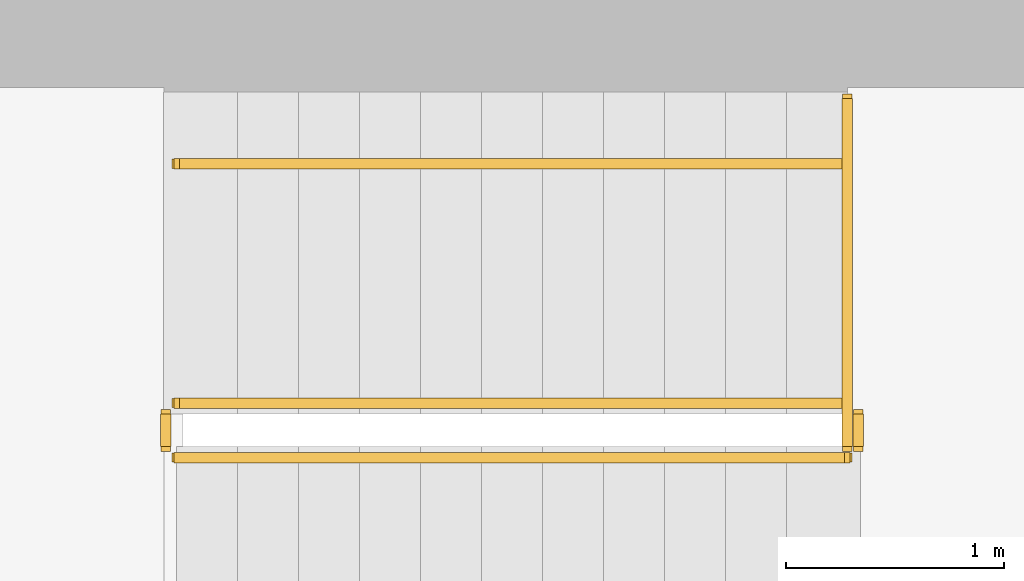
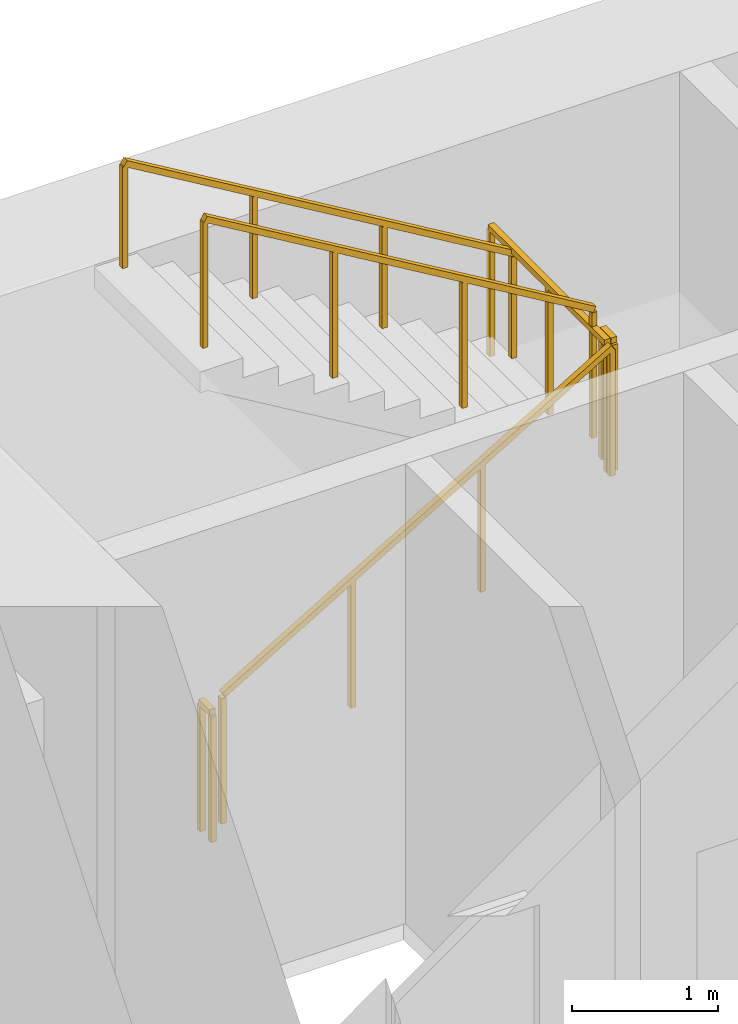
# One storey, part 15 of 16: 6 railings.
"""IFC4 building model written with IfcOpenShell, lengths in metres."""

from ifc_helpers import new_model, si_unit, direction, frame, origin, origin_2d, place, context, subcontext, project, spatial, rectangle, extrude, material, type_object, element, save


model = new_model("IFC4")

# Units and contexts
model_context = context("Model", 3, precision=1e-05, world=origin(), true_north=direction((0.0, 1.0)))
body_context = subcontext(model_context, "Body", "Model", "MODEL_VIEW")
ifc_project = project(units=[si_unit("LENGTHUNIT", "METRE"), si_unit("AREAUNIT", "SQUARE_METRE"), si_unit("VOLUMEUNIT", "CUBIC_METRE"), si_unit("PLANEANGLEUNIT", "RADIAN"), si_unit("MASSUNIT", "GRAM", prefix="KILO")], contexts=[model_context])

# Site, building, storey
site_placement = place(None, origin())
site = spatial("IfcSite", under=ifc_project, at=site_placement, CompositionType="ELEMENT")
building_placement = place(site_placement, origin())
building = spatial("IfcBuilding", under=site, at=building_placement, Name="Sennacour Bend Tower", CompositionType="ELEMENT")
storey_placement = place(building_placement, frame((0.0, 0.0, 223.0)))
storey = spatial("IfcBuildingStorey", under=building, at=storey_placement, Name="L51", CompositionType="ELEMENT", Elevation=223.0)

# Railings
ifc_material = material(Name="Stainless steel", Category="steel")
railing_type_1 = type_object("IfcRailingType", Name="RL-GUARD-1100", PredefinedType="GUARDRAIL", material=ifc_material)
railing_1_placement = place(storey_placement, frame((56.699951171875, 19.85009765625, 0.166748046875)))
element("IfcRailing", 1, at=railing_1_placement, inside=storey, type_object=railing_type_1, Name="L51 SA2 stair guard 1", PredefinedType="GUARDRAIL", context=body_context, shape_type="SweptSolid", body=[
    extrude(rectangle(XDim=0.048095703125, YDim=0.048095703125, at=origin_2d()), frame((0.0, 0.0, 1.076171875), z_axis=(0.859308565015, 0.0, 0.511457515432), x_axis=(0.0, 1.0, 0.0)), (0.0, 0.0, 1.0), 3.58447265625),
    extrude(rectangle(XDim=0.0419921875, YDim=0.0419921875, at=origin_2d()), origin(), (0.0, 0.0, 1.0), 1.052001953125),
    extrude(rectangle(XDim=0.0419921875, YDim=0.0419921875, at=origin_2d()), frame((1.026611328125, 0.0, 0.611083984375)), (0.0, 0.0, 1.0), 1.052001953125),
    extrude(rectangle(XDim=0.0419921875, YDim=0.0419921875, at=origin_2d()), frame((2.053466796875, 0.0, 1.22216796875)), (0.0, 0.0, 1.0), 1.052001953125),
    extrude(rectangle(XDim=0.0419921875, YDim=0.0419921875, at=origin_2d()), frame((3.080078125, 0.0, 1.833251953125)), (0.0, 0.0, 1.0), 1.052001953125),
])
railing_2_placement = place(storey_placement, frame((59.830078125, 19.89990234375, 2.0)))
element("IfcRailing", 2, at=railing_2_placement, inside=storey, type_object=railing_type_1, Name="L51 SA2 stair guard 2", PredefinedType="GUARDRAIL", context=body_context, shape_type="SweptSolid", body=[
    extrude(rectangle(XDim=0.048095703125, YDim=0.048095703125, at=origin_2d()), frame((0.0, 0.0, 1.076171875), z_axis=(0.0, 1.0, 0.0), x_axis=(-1.0, 0.0, 0.0)), (0.0, 0.0, 1.0), 0.150146484375),
    extrude(rectangle(XDim=0.0419921875, YDim=0.0419921875, at=origin_2d()), origin(), (0.0, 0.0, 1.0), 1.052001953125),
    extrude(rectangle(XDim=0.0419921875, YDim=0.0419921875, at=origin_2d()), frame((0.0, 0.150146484375, 0.0)), (0.0, 0.0, 1.0), 1.052001953125),
])
railing_3_placement = place(storey_placement, frame((59.780029296875, 20.10009765625, 2.166748046875)))
element("IfcRailing", 3, at=railing_3_placement, inside=storey, type_object=railing_type_1, Name="L51 SA2 stair guard 4", PredefinedType="GUARDRAIL", context=body_context, shape_type="SweptSolid", body=[
    extrude(rectangle(XDim=0.048095703125, YDim=0.048095703125, at=origin_2d()), frame((0.0, 0.0, 1.076171875), z_axis=(-0.859308565015, 0.0, 0.511457515432), x_axis=(0.0, -1.0, 0.0)), (0.0, 0.0, 1.0), 3.58447265625),
    extrude(rectangle(XDim=0.0419921875, YDim=0.0419921875, at=origin_2d()), origin(), (0.0, 0.0, 1.0), 1.052001953125),
    extrude(rectangle(XDim=0.0419921875, YDim=0.0419921875, at=origin_2d()), frame((-1.026611328125, 0.0, 0.611083984375)), (0.0, 0.0, 1.0), 1.052001953125),
    extrude(rectangle(XDim=0.0419921875, YDim=0.0419921875, at=origin_2d()), frame((-2.053466796875, 0.0, 1.22216796875)), (0.0, 0.0, 1.0), 1.052001953125),
    extrude(rectangle(XDim=0.0419921875, YDim=0.0419921875, at=origin_2d()), frame((-3.080078125, 0.0, 1.833251953125)), (0.0, 0.0, 1.0), 1.052001953125),
])
railing_4_placement = place(storey_placement, frame((56.64990234375, 19.89990234375, 0.0)))
element("IfcRailing", 4, at=railing_4_placement, inside=storey, type_object=railing_type_1, Name="L51 SA2 stair guard 5", PredefinedType="GUARDRAIL", context=body_context, shape_type="SweptSolid", body=[
    extrude(rectangle(XDim=0.048095703125, YDim=0.048095703125, at=origin_2d()), frame((0.0, 0.0, 1.076171875), z_axis=(0.0, 1.0, 0.0), x_axis=(-1.0, 0.0, 0.0)), (0.0, 0.0, 1.0), 0.150146484375),
    extrude(rectangle(XDim=0.0419921875, YDim=0.0419921875, at=origin_2d()), origin(), (0.0, 0.0, 1.0), 1.052001953125),
    extrude(rectangle(XDim=0.0419921875, YDim=0.0419921875, at=origin_2d()), frame((0.0, 0.150146484375, 0.0)), (0.0, 0.0, 1.0), 1.052001953125),
])
railing_5_placement = place(storey_placement, frame((59.780029296875, 19.89990234375, 2.0)))
element("IfcRailing", 5, at=railing_5_placement, inside=storey, type_object=railing_type_1, Name="L51 SA2 landing edge guard 68", PredefinedType="GUARDRAIL", context=body_context, shape_type="SweptSolid", body=[
    extrude(rectangle(XDim=0.048095703125, YDim=0.048095703125, at=origin_2d()), frame((0.0, 0.0, 1.076171875), z_axis=(0.0, 1.0, 0.0), x_axis=(-1.0, 0.0, 0.0)), (0.0, 0.0, 1.0), 1.60009765625),
    extrude(rectangle(XDim=0.0419921875, YDim=0.0419921875, at=origin_2d()), origin(), (0.0, 0.0, 1.0), 1.052001953125),
    extrude(rectangle(XDim=0.0419921875, YDim=0.0419921875, at=origin_2d()), frame((0.0, 0.800048828125, 0.0)), (0.0, 0.0, 1.0), 1.052001953125),
    extrude(rectangle(XDim=0.0419921875, YDim=0.0419921875, at=origin_2d()), frame((0.0, 1.60009765625, 0.0)), (0.0, 0.0, 1.0), 1.052001953125),
])
railing_type_2 = type_object("IfcRailingType", Name="RL-HANDRAIL-900", PredefinedType="HANDRAIL", material=ifc_material)
railing_6_placement = place(storey_placement, frame((59.780029296875, 21.199951171875, 2.166748046875)))
element("IfcRailing", 6, at=railing_6_placement, inside=storey, type_object=railing_type_2, Name="L51 SA2 stair handrail 2", PredefinedType="HANDRAIL", context=body_context, shape_type="SweptSolid", body=[
    extrude(rectangle(XDim=0.048095703125, YDim=0.048095703125, at=origin_2d()), frame((0.0, 0.0, 0.8759765625), z_axis=(-0.859308565015, 0.0, 0.511457515432), x_axis=(0.0, -1.0, 0.0)), (0.0, 0.0, 1.0), 3.58447265625),
    extrude(rectangle(XDim=0.0419921875, YDim=0.0419921875, at=origin_2d()), origin(), (0.0, 0.0, 1.0), 0.851806640625),
    extrude(rectangle(XDim=0.0419921875, YDim=0.0419921875, at=origin_2d()), frame((-1.026611328125, 0.0, 0.611083984375)), (0.0, 0.0, 1.0), 0.851806640625),
    extrude(rectangle(XDim=0.0419921875, YDim=0.0419921875, at=origin_2d()), frame((-2.053466796875, 0.0, 1.22216796875)), (0.0, 0.0, 1.0), 0.851806640625),
    extrude(rectangle(XDim=0.0419921875, YDim=0.0419921875, at=origin_2d()), frame((-3.080078125, 0.0, 1.833251953125)), (0.0, 0.0, 1.0), 0.851806640625),
])

save(model, "model.ifc")
